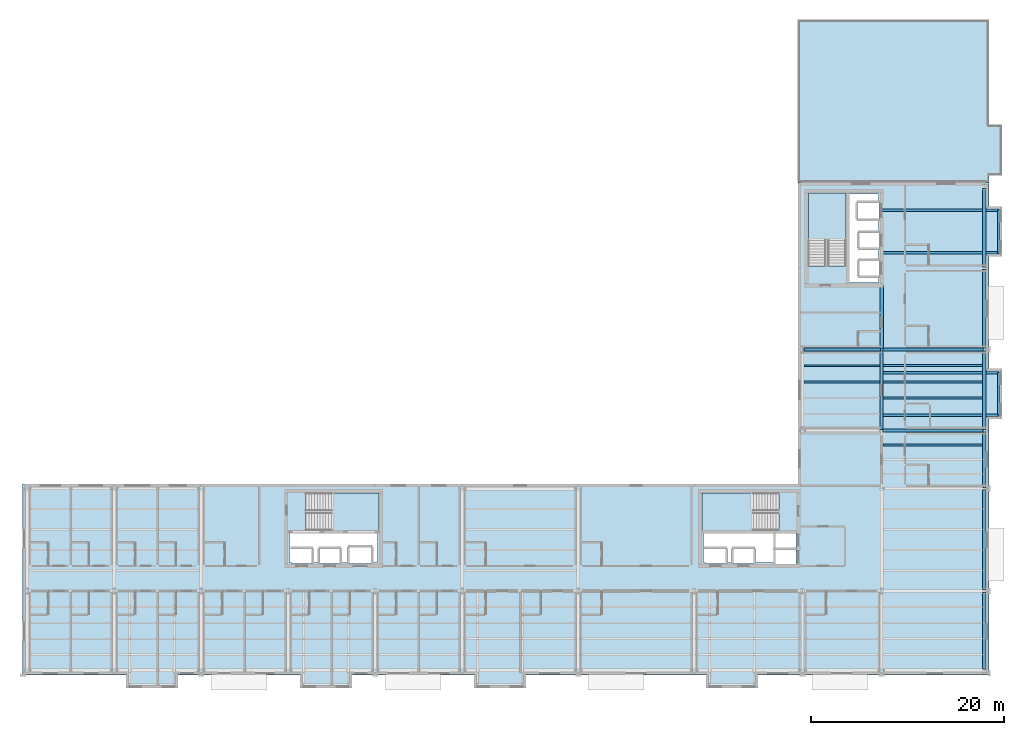
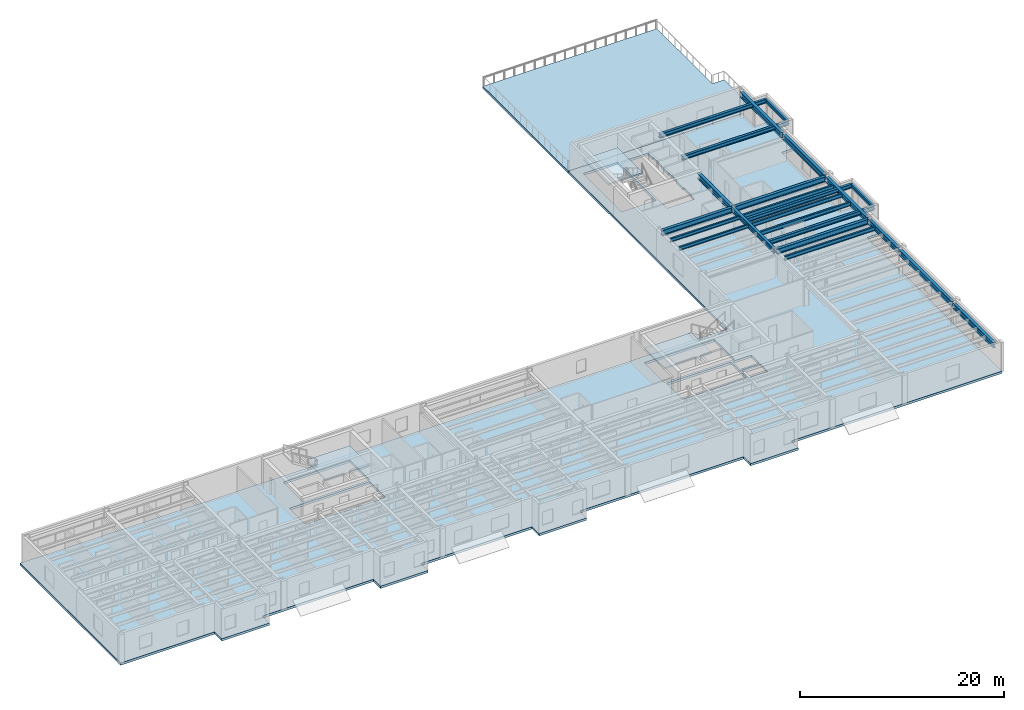
# One storey, part 5 of 19: 23 beams, 5 slabs, 3 elements without a shape of their own.
"""IFC4 building model written with IfcOpenShell, lengths in metres."""

from ifc_helpers import new_model, si_unit, direction, frame, origin, origin_2d, place, context, subcontext, project, spatial, polyline, i_section, outline, extrude, material, layer, layer_set, material_profile, profile_set, type_object, element, aggregate, save


model = new_model("IFC4")

# Units and contexts
model_context = context("Model", 3, precision=1e-05, world=origin(), true_north=direction((0.0, 1.0)))
body_context = subcontext(model_context, "Body", "Model", "MODEL_VIEW")
ifc_project = project(units=[si_unit("LENGTHUNIT", "METRE"), si_unit("AREAUNIT", "SQUARE_METRE"), si_unit("VOLUMEUNIT", "CUBIC_METRE"), si_unit("PLANEANGLEUNIT", "RADIAN"), si_unit("MASSUNIT", "GRAM", prefix="KILO")], contexts=[model_context])

# Site, building, storey
site_placement = place(None, origin())
site = spatial("IfcSite", under=ifc_project, at=site_placement, CompositionType="ELEMENT")
building_placement = place(site_placement, origin())
building = spatial("IfcBuilding", under=site, at=building_placement, Name="Sollismere Congress Hotel", CompositionType="ELEMENT")
storey_placement = place(building_placement, frame((0.0, 0.0, 34.10009765625)))
storey = spatial("IfcBuildingStorey", under=building, at=storey_placement, Name="L08", CompositionType="ELEMENT", Elevation=34.10009765625)

# Beams
ifc_material_1 = material(Name="Steel ASTM A992 Grade 50", Category="steel")
ifc_material_profile_1 = material_profile(ifc_material_1, i_section(OverallWidth=0.281982421875, OverallDepth=0.471923828125, WebThickness=0.013671875, FlangeThickness=0.022216796875, at=origin_2d()), Name="W18X97")
ifc_profile_set_1 = profile_set([ifc_material_profile_1], Name="Steel ASTM A992 Grade 50")
beam_type_1 = type_object("IfcBeamType", Name="BM-CK18E", PredefinedType="BEAM", material=ifc_profile_set_1)
for number, where, z_axis, x_axis, name in (
    (1, (155.39990234375, 26.39990234375, 2.97900390625), (1.0, 0.0, 0.0), (0.0, 1.0, 0.0), "Beam BM-L08-4026"),
    (2, (155.39990234375, 30.800048828125, 2.97900390625), (1.0, 0.0, 0.0), (0.0, 1.0, 0.0), "Beam BM-L08-4027"),
    (3, (155.39990234375, 43.199951171875, 2.97900390625), (1.0, 0.0, 0.0), (0.0, 1.0, 0.0), "Beam BM-L08-4029"),
    (4, (155.39990234375, 47.60009765625, 2.97900390625), (1.0, 0.0, 0.0), (0.0, 1.0, 0.0), "Beam BM-L08-4030"),
):
    element("IfcBeam", number, at=place(storey_placement, frame(where, z_axis=z_axis, x_axis=x_axis)), inside=storey, type_object=beam_type_1, Name=name, PredefinedType="BEAM", context=body_context, shape_type="SweptSolid", body=[
        extrude(i_section(OverallWidth=0.281982421875, OverallDepth=0.471923828125, WebThickness=0.013671875, FlangeThickness=0.022216796875, at=origin_2d()), origin(), (0.0, 0.0, 1.0), 12.090087890625),
    ])
ifc_material_profile_2 = material_profile(ifc_material_1, i_section(OverallWidth=0.31494140625, OverallDepth=0.551025390625, WebThickness=0.01513671875, FlangeThickness=0.0244140625, at=origin_2d()), Name="W21X122")
ifc_profile_set_2 = profile_set([ifc_material_profile_2], Name="Steel ASTM A992 Grade 50")
beam_type_2 = type_object("IfcBeamType", Name="BM-G21H", PredefinedType="BEAM", material=ifc_profile_set_2)
beam_1_placement = place(storey_placement, frame((155.39990234375, 24.93994140625, 2.939453125), z_axis=(0.0, 1.0, 0.0), x_axis=(-1.0, 0.0, 0.0)))
element("IfcBeam", 5, at=beam_1_placement, inside=storey, type_object=beam_type_2, Name="Beam BM-L08-3454", PredefinedType="BEAM", context=body_context, shape_type="SweptSolid", body=[
    extrude(i_section(OverallWidth=0.31494140625, OverallDepth=0.551025390625, WebThickness=0.01513671875, FlangeThickness=0.0244140625, at=origin_2d()), origin(), (0.0, 0.0, 1.0), 8.1201171875),
])
ifc_material_profile_3 = material_profile(ifc_material_1, i_section(OverallWidth=0.324951171875, OverallDepth=0.612060546875, WebThickness=0.0126953125, FlangeThickness=0.01904296875, at=origin_2d()), Name="W24X104")
ifc_profile_set_3 = profile_set([ifc_material_profile_3], Name="Steel ASTM A992 Grade 50")
beam_type_3 = type_object("IfcBeamType", Name="BM-G24", PredefinedType="BEAM", material=ifc_profile_set_3)
beam_2_placement = place(storey_placement, frame((155.5400390625, 24.800048828125, 2.908935546875), z_axis=(1.0, 0.0, 0.0), x_axis=(0.0, 1.0, 0.0)))
element("IfcBeam", 6, at=beam_2_placement, inside=storey, type_object=beam_type_3, Name="Beam BM-L08-3433", PredefinedType="BEAM", context=body_context, shape_type="SweptSolid", body=[
    extrude(i_section(OverallWidth=0.324951171875, OverallDepth=0.612060546875, WebThickness=0.0126953125, FlangeThickness=0.01904296875, at=origin_2d()), origin(), (0.0, 0.0, 1.0), 10.320068359375),
])
beam_3_placement = place(storey_placement, frame((147.340087890625, 33.199951171875, 2.908935546875), z_axis=(1.0, 0.0, 0.0), x_axis=(0.0, 1.0, 0.0)))
element("IfcBeam", 7, at=beam_3_placement, inside=storey, type_object=beam_type_3, Name="Beam BM-L08-3434", PredefinedType="BEAM", context=body_context, shape_type="SweptSolid", body=[
    extrude(i_section(OverallWidth=0.324951171875, OverallDepth=0.612060546875, WebThickness=0.0126953125, FlangeThickness=0.01904296875, at=origin_2d()), origin(), (0.0, 0.0, 1.0), 7.919921875),
])
beam_4_placement = place(storey_placement, frame((155.5400390625, 33.199951171875, 2.908935546875), z_axis=(1.0, 0.0, 0.0), x_axis=(0.0, 1.0, 0.0)))
element("IfcBeam", 8, at=beam_4_placement, inside=storey, type_object=beam_type_3, Name="Beam BM-L08-3435", PredefinedType="BEAM", context=body_context, shape_type="SweptSolid", body=[
    extrude(i_section(OverallWidth=0.324951171875, OverallDepth=0.612060546875, WebThickness=0.0126953125, FlangeThickness=0.01904296875, at=origin_2d()), origin(), (0.0, 0.0, 1.0), 10.320068359375),
])
ifc_material_profile_4 = material_profile(ifc_material_1, i_section(OverallWidth=0.330078125, OverallDepth=0.635009765625, WebThickness=0.017822265625, FlangeThickness=0.031005859375, at=origin_2d()), Name="W24X162")
ifc_profile_set_4 = profile_set([ifc_material_profile_4], Name="Steel ASTM A992 Grade 50")
beam_type_4 = type_object("IfcBeamType", Name="BM-G24H", PredefinedType="BEAM", material=ifc_profile_set_4)
beam_5_placement = place(storey_placement, frame((155.39990234375, 33.320068359375, 2.8974609375), z_axis=(0.0, 1.0, 0.0), x_axis=(-1.0, 0.0, 0.0)))
element("IfcBeam", 9, at=beam_5_placement, inside=storey, type_object=beam_type_4, Name="Beam BM-L08-4013", PredefinedType="BEAM", context=body_context, shape_type="SweptSolid", body=[
    extrude(i_section(OverallWidth=0.330078125, OverallDepth=0.635009765625, WebThickness=0.017822265625, FlangeThickness=0.031005859375, at=origin_2d()), origin(), (0.0, 0.0, 1.0), 6.530029296875),
])
ifc_material_profile_5 = material_profile(ifc_material_1, i_section(OverallWidth=0.180908203125, OverallDepth=0.4169921875, WebThickness=0.010986328125, FlangeThickness=0.018310546875, at=origin_2d()), Name="W16X57")
ifc_profile_set_5 = profile_set([ifc_material_profile_5], Name="Steel ASTM A992 Grade 50")
beam_type_5 = type_object("IfcBeamType", Name="BM-J16", PredefinedType="JOIST", material=ifc_profile_set_5)
for number, where, z_axis, x_axis, name in (
    (10, (147.357421875, 29.840087890625, 3.00634765625), (1.0, 0.0, 0.0), (0.0, 1.0, 0.0), "Beam BM-L08-3511"),
    (11, (147.357421875, 31.52001953125, 3.00634765625), (1.0, 0.0, 0.0), (0.0, 1.0, 0.0), "Beam BM-L08-3512"),
):
    element("IfcBeam", number, at=place(storey_placement, frame(where, z_axis=z_axis, x_axis=x_axis)), inside=storey, type_object=beam_type_5, Name=name, PredefinedType="JOIST", context=body_context, shape_type="SweptSolid", body=[
        extrude(i_section(OverallWidth=0.180908203125, OverallDepth=0.4169921875, WebThickness=0.010986328125, FlangeThickness=0.018310546875, at=origin_2d()), origin(), (0.0, 0.0, 1.0), 7.885009765625),
    ])
ifc_material_profile_6 = material_profile(ifc_material_1, i_section(OverallWidth=0.193115234375, OverallDepth=0.467041015625, WebThickness=0.011474609375, FlangeThickness=0.01904296875, at=origin_2d()), Name="W18X65")
ifc_profile_set_6 = profile_set([ifc_material_profile_6], Name="Steel ASTM A992 Grade 50")
beam_type_6 = type_object("IfcBeamType", Name="BM-J18", PredefinedType="JOIST", material=ifc_profile_set_6)
for number, where, z_axis, x_axis, name in (
    (12, (155.5576171875, 23.300048828125, 2.9814453125), (1.0, 0.0, 0.0), (0.0, 1.0, 0.0), "Beam BM-L08-3523"),
    (13, (155.5576171875, 28.159912109375, 2.9814453125), (1.0, 0.0, 0.0), (0.0, 1.0, 0.0), "Beam BM-L08-3524"),
    (14, (155.5576171875, 29.840087890625, 2.9814453125), (1.0, 0.0, 0.0), (0.0, 1.0, 0.0), "Beam BM-L08-3525"),
    (15, (155.5576171875, 31.52001953125, 2.9814453125), (1.0, 0.0, 0.0), (0.0, 1.0, 0.0), "Beam BM-L08-3526"),
):
    element("IfcBeam", number, at=place(storey_placement, frame(where, z_axis=z_axis, x_axis=x_axis)), inside=storey, type_object=beam_type_6, Name=name, PredefinedType="JOIST", context=body_context, shape_type="SweptSolid", body=[
        extrude(i_section(OverallWidth=0.193115234375, OverallDepth=0.467041015625, WebThickness=0.011474609375, FlangeThickness=0.01904296875, at=origin_2d()), origin(), (0.0, 0.0, 1.0), 10.27734375),
    ])
ifc_material_profile_7 = material_profile(ifc_material_1, i_section(OverallWidth=0.261962890625, OverallDepth=0.4189453125, WebThickness=0.01171875, FlangeThickness=0.019287109375, at=origin_2d()), Name="W16X77")
ifc_profile_set_7 = profile_set([ifc_material_profile_7], Name="Steel ASTM A992 Grade 50")
beam_type_7 = type_object("IfcBeamType", Name="BM-LN16E", PredefinedType="LINTEL", material=ifc_profile_set_7)
for number, where, z_axis, x_axis, name in (
    (16, (167.489990234375, 26.39990234375, 3.00537109375), (0.0, 1.0, 0.0), (-1.0, 0.0, 0.0), "Beam BM-L08-4028"),
    (17, (167.489990234375, 43.199951171875, 3.00537109375), (0.0, 1.0, 0.0), (-1.0, 0.0, 0.0), "Beam BM-L08-4031"),
):
    element("IfcBeam", number, at=place(storey_placement, frame(where, z_axis=z_axis, x_axis=x_axis)), inside=storey, type_object=beam_type_7, Name=name, PredefinedType="LINTEL", context=body_context, shape_type="SweptSolid", body=[
        extrude(i_section(OverallWidth=0.261962890625, OverallDepth=0.4189453125, WebThickness=0.01171875, FlangeThickness=0.019287109375, at=origin_2d()), origin(), (0.0, 0.0, 1.0), 4.400146484375),
    ])
ifc_material_profile_8 = material_profile(ifc_material_1, i_section(OverallWidth=0.330078125, OverallDepth=0.635009765625, WebThickness=0.017822265625, FlangeThickness=0.031005859375, at=origin_2d()), Name="W24X162")
ifc_profile_set_8 = profile_set([ifc_material_profile_8], Name="Steel ASTM A992 Grade 50")
beam_type_8 = type_object("IfcBeamType", Name="BM-SP24E", PredefinedType="SPANDREL", material=ifc_profile_set_8)
beam_6_placement = place(storey_placement, frame((166.0, 0.139892578125, 2.8974609375), z_axis=(0.0, 1.0, 0.0), x_axis=(-1.0, 0.0, 0.0)))
element("IfcBeam", 18, at=beam_6_placement, inside=storey, type_object=beam_type_8, Name="Beam BM-L08-3455", PredefinedType="SPANDREL", context=body_context, shape_type="SweptSolid", body=[
    extrude(i_section(OverallWidth=0.330078125, OverallDepth=0.635009765625, WebThickness=0.017822265625, FlangeThickness=0.031005859375, at=origin_2d()), origin(), (0.0, 0.0, 1.0), 7.920166015625),
])
beam_7_placement = place(storey_placement, frame((166.0, 8.340087890625, 2.8974609375), z_axis=(0.0, 1.0, 0.0), x_axis=(-1.0, 0.0, 0.0)))
element("IfcBeam", 19, at=beam_7_placement, inside=storey, type_object=beam_type_8, Name="Beam BM-L08-3456", PredefinedType="SPANDREL", context=body_context, shape_type="SweptSolid", body=[
    extrude(i_section(OverallWidth=0.330078125, OverallDepth=0.635009765625, WebThickness=0.017822265625, FlangeThickness=0.031005859375, at=origin_2d()), origin(), (0.0, 0.0, 1.0), 10.31982421875),
])
beam_8_placement = place(storey_placement, frame((166.0, 18.93994140625, 2.8974609375), z_axis=(0.0, 1.0, 0.0), x_axis=(-1.0, 0.0, 0.0)))
element("IfcBeam", 20, at=beam_8_placement, inside=storey, type_object=beam_type_8, Name="Beam BM-L08-3457", PredefinedType="SPANDREL", context=body_context, shape_type="SweptSolid", body=[
    extrude(i_section(OverallWidth=0.330078125, OverallDepth=0.635009765625, WebThickness=0.017822265625, FlangeThickness=0.031005859375, at=origin_2d()), origin(), (0.0, 0.0, 1.0), 5.719970703125),
])
beam_9_placement = place(storey_placement, frame((166.0, 24.93994140625, 2.8974609375), z_axis=(0.0, 1.0, 0.0), x_axis=(-1.0, 0.0, 0.0)))
element("IfcBeam", 21, at=beam_9_placement, inside=storey, type_object=beam_type_8, Name="Beam BM-L08-3458", PredefinedType="SPANDREL", context=body_context, shape_type="SweptSolid", body=[
    extrude(i_section(OverallWidth=0.330078125, OverallDepth=0.635009765625, WebThickness=0.017822265625, FlangeThickness=0.031005859375, at=origin_2d()), origin(), (0.0, 0.0, 1.0), 8.1201171875),
])
beam_10_placement = place(storey_placement, frame((166.0, 33.340087890625, 2.8974609375), z_axis=(0.0, 1.0, 0.0), x_axis=(-1.0, 0.0, 0.0)))
element("IfcBeam", 22, at=beam_10_placement, inside=storey, type_object=beam_type_8, Name="Beam BM-L08-3459", PredefinedType="SPANDREL", context=body_context, shape_type="SweptSolid", body=[
    extrude(i_section(OverallWidth=0.330078125, OverallDepth=0.635009765625, WebThickness=0.017822265625, FlangeThickness=0.031005859375, at=origin_2d()), origin(), (0.0, 0.0, 1.0), 8.119873046875),
])
beam_11_placement = place(storey_placement, frame((166.0, 41.739990234375, 2.8974609375), z_axis=(0.0, 1.0, 0.0), x_axis=(-1.0, 0.0, 0.0)))
element("IfcBeam", 23, at=beam_11_placement, inside=storey, type_object=beam_type_8, Name="Beam BM-L08-3460", PredefinedType="SPANDREL", context=body_context, shape_type="SweptSolid", body=[
    extrude(i_section(OverallWidth=0.330078125, OverallDepth=0.635009765625, WebThickness=0.017822265625, FlangeThickness=0.031005859375, at=origin_2d()), origin(), (0.0, 0.0, 1.0), 8.1201171875),
])

# Slab
ifc_material_2 = material(Name="Concrete C40/50", Category="concrete")
ifc_layer_1 = layer(ifc_material_2, 0.27490234375, Name="Concrete C40/50")
ifc_layer_set_1 = layer_set([ifc_layer_1], Name="Concrete C40/50")
slab_type_1 = type_object("IfcSlabType", Name="SL-FLR275", PredefinedType="FLOOR", material=ifc_layer_set_1)
slab_1_placement = place(storey_placement, frame((0.0, 0.0, -0.275146484375)))
element("IfcSlab", 24, at=slab_1_placement, inside=storey, type_object=slab_type_1, Name="Slab SL-L08-V5", PredefinedType="FLOOR", context=body_context, shape_type="SweptSolid", body=[
    extrude(outline(polyline([(77.199951171875, -0.47998046875), (77.199951171875, -1.85009765625), (82.60009765625, -1.85009765625), (82.60009765625, -0.47998046875), (95.199951171875, -0.47998046875), (95.199951171875, -1.85009765625), (100.60009765625, -1.85009765625), (100.60009765625, -0.47998046875), (113.199951171875, -0.47998046875), (113.199951171875, -1.85009765625), (118.60009765625, -1.85009765625), (118.60009765625, -0.47998046875), (137.199951171875, -0.47998046875), (137.199951171875, -1.85009765625), (142.60009765625, -1.85009765625), (142.60009765625, -0.47998046875), (166.47998046875, -0.47998046875), (166.47998046875, 19.280029296875), (166.47998046875, 26.0), (167.85009765625, 26.0), (167.85009765625, 31.199951171875), (166.47998046875, 31.199951171875), (166.47998046875, 42.800048828125), (167.85009765625, 42.800048828125), (167.85009765625, 48.0), (166.47998046875, 48.0), (166.47998046875, 50.47998046875), (146.719970703125, 50.47998046875), (146.719970703125, 19.280029296875), (66.52001953125, 19.280029296875), (66.52001953125, -0.47998046875), (77.199951171875, -0.47998046875)]), holes=[polyline([(94.35498046875, 11.050048828125), (94.35498046875, 11.139892578125), (94.139892578125, 11.139892578125), (94.139892578125, 14.179931640625), (103.260009765625, 14.179931640625), (103.260009765625, 11.139892578125), (102.570068359375, 11.139892578125), (102.570068359375, 11.054931640625), (100.330078125, 11.054931640625), (100.330078125, 11.139892578125), (99.344970703125, 11.139892578125), (99.344970703125, 11.050048828125), (97.2548828125, 11.050048828125), (97.2548828125, 11.139892578125), (96.445068359375, 11.139892578125), (96.445068359375, 11.050048828125), (94.35498046875, 11.050048828125)]), polyline([(137.155029296875, 11.050048828125), (137.155029296875, 11.139892578125), (136.93994140625, 11.139892578125), (136.93994140625, 14.179931640625), (144.22705078125, 14.179931640625), (144.22705078125, 11.139892578125), (142.14501953125, 11.139892578125), (142.14501953125, 11.050048828125), (140.054931640625, 11.050048828125), (140.054931640625, 11.139892578125), (139.2451171875, 11.139892578125), (139.2451171875, 11.050048828125), (137.155029296875, 11.050048828125)]), polyline([(95.8505859375, 14.449951171875), (95.8505859375, 18.35009765625), (103.39990234375, 18.35009765625), (103.39990234375, 14.449951171875), (95.8505859375, 14.449951171875)]), polyline([(144.749267578125, 18.35009765625), (144.749267578125, 14.449951171875), (136.800048828125, 14.449951171875), (136.800048828125, 18.35009765625), (144.749267578125, 18.35009765625)]), polyline([(146.550048828125, 11.0048828125), (144.409912109375, 11.0048828125), (144.409912109375, 12.4951171875), (146.550048828125, 12.4951171875), (146.550048828125, 11.0048828125)]), polyline([(146.550048828125, 12.705078125), (144.409912109375, 12.705078125), (144.409912109375, 14.195068359375), (146.550048828125, 14.195068359375), (146.550048828125, 12.705078125)]), polyline([(155.14501953125, 40.830078125), (155.06005859375, 40.830078125), (155.06005859375, 40.139892578125), (151.969970703125, 40.139892578125), (151.969970703125, 49.260009765625), (155.06005859375, 49.260009765625), (155.06005859375, 48.39501953125), (155.139892578125, 48.39501953125), (155.139892578125, 46.705078125), (155.06005859375, 46.705078125), (155.06005859375, 45.27001953125), (155.14501953125, 45.27001953125), (155.14501953125, 43.72998046875), (155.06005859375, 43.72998046875), (155.06005859375, 42.3701171875), (155.14501953125, 42.3701171875), (155.14501953125, 40.830078125)]), polyline([(151.699951171875, 41.8505859375), (147.800048828125, 41.8505859375), (147.800048828125, 49.39990234375), (151.699951171875, 49.39990234375), (151.699951171875, 41.8505859375)])]), origin(), (0.0, 0.0, 1.0), 0.275146484375),
])

# Stair, slab
stair_type = type_object("IfcStairType", Name="STR-DL-350", PredefinedType="HALF_TURN_STAIR", material=ifc_material_2)
stair_1_placement = place(storey_placement, origin())
stair_1 = element("IfcStair", 25, at=stair_1_placement, inside=storey, type_object=stair_type, Name="Protected exit stair ST-01-L08", PredefinedType="HALF_TURN_STAIR")
ifc_layer_2 = layer(ifc_material_2, 0.199951171875, Name="Concrete C40/50")
ifc_layer_set_2 = layer_set([ifc_layer_2], Name="Concrete C40/50")
slab_type_2 = type_object("IfcSlabType", Name="SL-LND200", PredefinedType="LANDING", material=ifc_layer_set_2)
slab_2_placement = place(storey_placement, frame((0.0, 0.0, 1.5498046875)))
slab_2 = element("IfcSlab", 26, at=slab_2_placement, type_object=slab_type_2, Name="Exit stair half-landing ST-01-L08-L1", PredefinedType="LANDING", context=body_context, shape_type="SweptSolid", body=[
    extrude(outline(polyline([(142.139892578125, 18.35009765625), (136.800048828125, 18.35009765625), (136.800048828125, 14.449951171875), (142.139892578125, 14.449951171875), (142.139892578125, 18.35009765625)])), origin(), (0.0, 0.0, 1.0), 0.2001953125),
])
aggregate(stair_1, [slab_2])

stair_2_placement = place(storey_placement, origin())
stair_2 = element("IfcStair", 27, at=stair_2_placement, inside=storey, type_object=stair_type, Name="Protected exit stair ST-02-L08", PredefinedType="HALF_TURN_STAIR")
slab_3_placement = place(storey_placement, frame((0.0, 0.0, 1.5498046875)))
slab_3 = element("IfcSlab", 28, at=slab_3_placement, type_object=slab_type_2, Name="Exit stair half-landing ST-02-L08-L1", PredefinedType="LANDING", context=body_context, shape_type="SweptSolid", body=[
    extrude(outline(polyline([(98.4599609375, 14.449951171875), (103.39990234375, 14.449951171875), (103.39990234375, 18.35009765625), (98.4599609375, 18.35009765625), (98.4599609375, 14.449951171875)])), origin(), (0.0, 0.0, 1.0), 0.2001953125),
])
aggregate(stair_2, [slab_3])

stair_3_placement = place(storey_placement, origin())
stair_3 = element("IfcStair", 29, at=stair_3_placement, inside=storey, type_object=stair_type, Name="Protected exit stair ST-03-L08", PredefinedType="HALF_TURN_STAIR")
slab_4_placement = place(storey_placement, frame((0.0, 0.0, 1.5498046875)))
slab_4 = element("IfcSlab", 30, at=slab_4_placement, type_object=slab_type_2, Name="Exit stair half-landing ST-03-L08-L1", PredefinedType="LANDING", context=body_context, shape_type="SweptSolid", body=[
    extrude(outline(polyline([(151.699951171875, 44.4599609375), (151.699951171875, 49.39990234375), (147.800048828125, 49.39990234375), (147.800048828125, 44.4599609375), (151.699951171875, 44.4599609375)])), origin(), (0.0, 0.0, 1.0), 0.2001953125),
])
aggregate(stair_3, [slab_4])

# Slab
ifc_layer_3 = layer(ifc_material_2, 0.27490234375, Name="Concrete C40/50")
ifc_layer_set_3 = layer_set([ifc_layer_3], Name="Concrete C40/50")
slab_type_3 = type_object("IfcSlabType", Name="SL-TER275", PredefinedType="FLOOR", material=ifc_layer_set_3)
slab_5_placement = place(storey_placement, frame((0.0, 0.0, -0.275146484375)))
element("IfcSlab", 31, at=slab_5_placement, inside=storey, type_object=slab_type_3, Name="Slab SL-L08-TRE", PredefinedType="FLOOR", context=body_context, shape_type="SweptSolid", body=[
    extrude(outline(polyline([(166.47998046875, 56.39990234375), (166.47998046875, 67.280029296875), (146.719970703125, 67.280029296875), (146.719970703125, 50.47998046875), (166.47998046875, 50.47998046875), (166.47998046875, 51.199951171875), (167.85009765625, 51.199951171875), (167.85009765625, 56.39990234375), (166.47998046875, 56.39990234375)])), origin(), (0.0, 0.0, 1.0), 0.275146484375),
])

save(model, "model.ifc")
